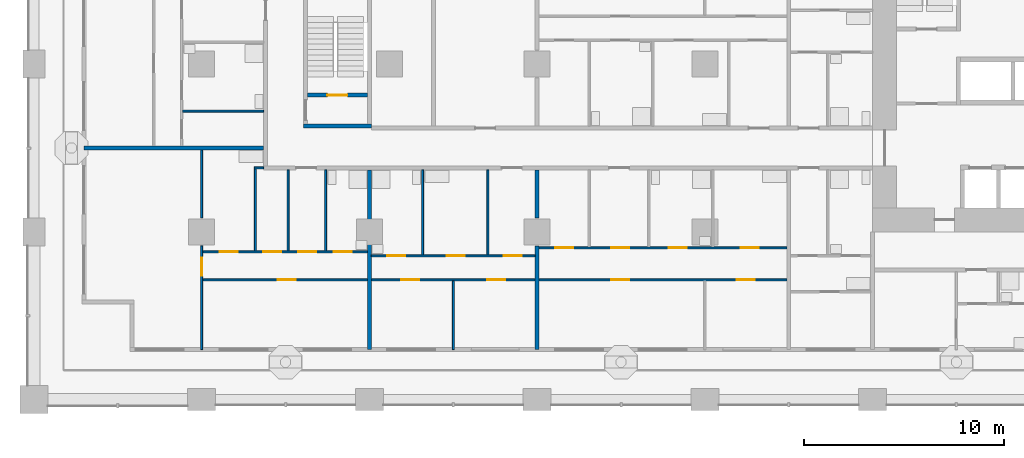
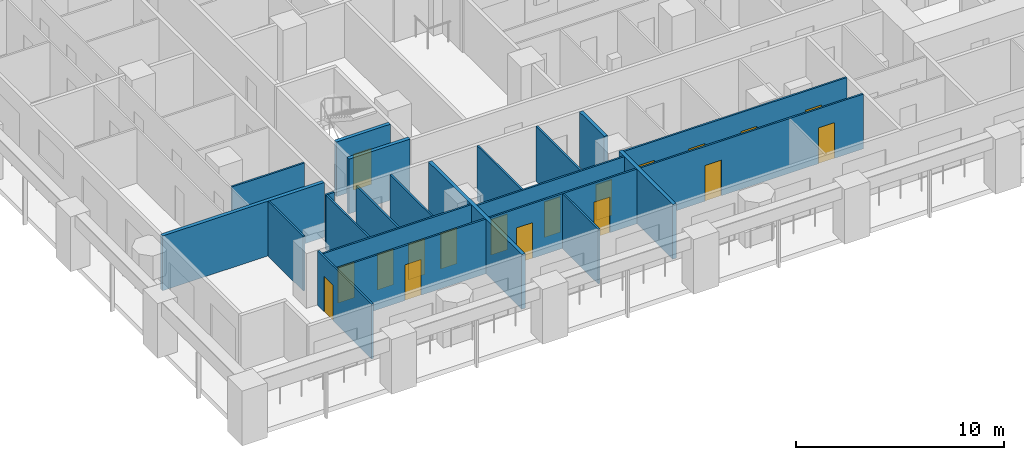
# One storey, part 2 of 22: 20 walls, 18 doors, 18 openings.
"""IFC4 building model written with IfcOpenShell, lengths in metres."""

from ifc_helpers import new_model, si_unit, direction, frame, frame_2d, origin, place, context, subcontext, project, spatial, rectangle, extrude, material, layer, layer_set, type_object, element, fill, save


model = new_model("IFC4")

# Units and contexts
model_context = context("Model", 3, precision=1e-05, world=origin(), true_north=direction((0.0, 1.0)))
body_context = subcontext(model_context, "Body", "Model", "MODEL_VIEW")
ifc_project = project(units=[si_unit("LENGTHUNIT", "METRE"), si_unit("AREAUNIT", "SQUARE_METRE"), si_unit("VOLUMEUNIT", "CUBIC_METRE"), si_unit("PLANEANGLEUNIT", "RADIAN"), si_unit("MASSUNIT", "GRAM", prefix="KILO")], contexts=[model_context])

# Site, building, storey
site_placement = place(None, origin())
site = spatial("IfcSite", under=ifc_project, at=site_placement, CompositionType="ELEMENT")
building_placement = place(site_placement, origin())
building = spatial("IfcBuilding", under=site, at=building_placement, Name="Vermilion Gate Residences", CompositionType="ELEMENT")
storey_placement = place(building_placement, frame((0.0, 0.0, 60.199951171875)))
storey = spatial("IfcBuildingStorey", under=building, at=storey_placement, Name="L14", CompositionType="ELEMENT", Elevation=60.199951171875)

# Wall, openings, doors
ifc_material_1 = material(Name="Plasterboard on steel studs", Category="steel")
ifc_layer_1 = layer(ifc_material_1, 0.10009765625)
ifc_layer_set_1 = layer_set([ifc_layer_1], Name="PARTITION 100")
wall_type_1 = type_object("IfcWallType", Name="PARTITION 100", PredefinedType="PARTITIONING", material=ifc_layer_set_1)
wall_1_placement = place(storey_placement, frame((8.449951171875, 6.0, 0.0), z_axis=(0.0, 0.0, 1.0), x_axis=(1.0, 0.0, 0.0)))
wall_1 = element("IfcWall", 1, at=wall_1_placement, inside=storey, type_object=wall_type_1, Name="Partition", PredefinedType="PARTITIONING", context=body_context, shape_type="SweptSolid", body=[
    extrude(rectangle(XDim=29.25, YDim=0.10009765625, at=frame_2d((14.625, 0.0))), origin(), (0.0, 0.0, 1.0), 3.219970703125),
])
opening_1_placement = place(wall_1_placement, frame((3.75, 0.0, 0.0)))
opening_1 = element("IfcOpeningElement", 2, at=opening_1_placement, cuts=wall_1, Name="Opening DA13006", PredefinedType="OPENING", context=body_context, shape_type="SweptSolid", body=[
    extrude(rectangle(XDim=0.89990234375, YDim=2.10009765625, at=frame_2d((0.449951171875, 1.050048828125))), frame((0.0, 0.06005859375, 0.0), z_axis=(0.0, -1.0, 0.0), x_axis=(1.0, 0.0, 0.0)), (0.0, 0.0, 1.0), 0.1201171875),
])
opening_2_placement = place(wall_1_placement, frame((9.949951171875, 0.0, 0.0)))
opening_2 = element("IfcOpeningElement", 3, at=opening_2_placement, cuts=wall_1, Name="Opening DA13007", PredefinedType="OPENING", context=body_context, shape_type="SweptSolid", body=[
    extrude(rectangle(XDim=0.89990234375, YDim=2.10009765625, at=frame_2d((0.449951171875, 1.050048828125))), frame((0.0, 0.06005859375, 0.0), z_axis=(0.0, -1.0, 0.0), x_axis=(1.0, 0.0, 0.0)), (0.0, 0.0, 1.0), 0.1201171875),
])
opening_3_placement = place(wall_1_placement, frame((14.25, 0.0, 0.0)))
opening_3 = element("IfcOpeningElement", 4, at=opening_3_placement, cuts=wall_1, Name="Opening DA13008", PredefinedType="OPENING", context=body_context, shape_type="SweptSolid", body=[
    extrude(rectangle(XDim=0.89990234375, YDim=2.10009765625, at=frame_2d((0.449951171875, 1.050048828125))), frame((0.0, 0.06005859375, 0.0), z_axis=(0.0, -1.0, 0.0), x_axis=(1.0, 0.0, 0.0)), (0.0, 0.0, 1.0), 0.1201171875),
])
opening_4_placement = place(wall_1_placement, frame((20.449951171875, 0.0, 0.0)))
opening_4 = element("IfcOpeningElement", 5, at=opening_4_placement, cuts=wall_1, Name="Opening DA13009", PredefinedType="OPENING", context=body_context, shape_type="SweptSolid", body=[
    extrude(rectangle(XDim=0.89990234375, YDim=2.10009765625, at=frame_2d((0.449951171875, 1.050048828125))), frame((0.0, 0.06005859375, 0.0), z_axis=(0.0, -1.0, 0.0), x_axis=(1.0, 0.0, 0.0)), (0.0, 0.0, 1.0), 0.1201171875),
])
opening_5_placement = place(wall_1_placement, frame((26.75, 0.0, 0.0)))
opening_5 = element("IfcOpeningElement", 6, at=opening_5_placement, cuts=wall_1, Name="Opening DA13010", PredefinedType="OPENING", context=body_context, shape_type="SweptSolid", body=[
    extrude(rectangle(XDim=0.89990234375, YDim=2.10009765625, at=frame_2d((0.449951171875, 1.050048828125))), frame((0.0, 0.06005859375, 0.0), z_axis=(0.0, -1.0, 0.0), x_axis=(1.0, 0.0, 0.0)), (0.0, 0.0, 1.0), 0.1201171875),
])
ifc_material_2 = material(Name="Timber", Category="wood")
door_type_1 = type_object("IfcDoorType", Name="INTERIOR DOOR 900 X 2100", OperationType="SINGLE_SWING_LEFT", PredefinedType="DOOR", material=ifc_material_2)
door_1_placement = place(opening_1_placement, frame((0.89990234375, 0.0, 0.0), z_axis=(0.0, 0.0, 1.0), x_axis=(-1.0, 0.0, 0.0)))
door_1 = element("IfcDoor", 7, at=door_1_placement, inside=storey, type_object=door_type_1, Name="Interior door", OperationType="SINGLE_SWING_RIGHT", OverallHeight=2.10009765625, OverallWidth=0.89990234375, PredefinedType="DOOR", context=body_context, shape_type="SweptSolid", body=[
    extrude(rectangle(XDim=0.89990234375, YDim=2.10009765625, at=frame_2d((0.449951171875, 1.050048828125))), frame((0.0, 0.02490234375, 0.0), z_axis=(0.0, -1.0, 0.0), x_axis=(1.0, 0.0, 0.0)), (0.0, 0.0, 1.0), 0.050048828125),
])
fill(opening_1, door_1)
door_2_placement = place(opening_2_placement, frame((0.89990234375, 0.0, 0.0), z_axis=(0.0, 0.0, 1.0), x_axis=(-1.0, 0.0, 0.0)))
door_2 = element("IfcDoor", 8, at=door_2_placement, inside=storey, type_object=door_type_1, Name="Interior door", OperationType="SINGLE_SWING_RIGHT", OverallHeight=2.10009765625, OverallWidth=0.89990234375, PredefinedType="DOOR", context=body_context, shape_type="SweptSolid", body=[
    extrude(rectangle(XDim=0.89990234375, YDim=2.10009765625, at=frame_2d((0.449951171875, 1.050048828125))), frame((0.0, 0.02490234375, 0.0), z_axis=(0.0, -1.0, 0.0), x_axis=(1.0, 0.0, 0.0)), (0.0, 0.0, 1.0), 0.050048828125),
])
fill(opening_2, door_2)
door_3_placement = place(opening_3_placement, frame((0.89990234375, 0.0, 0.0), z_axis=(0.0, 0.0, 1.0), x_axis=(-1.0, 0.0, 0.0)))
door_3 = element("IfcDoor", 9, at=door_3_placement, inside=storey, type_object=door_type_1, Name="Interior door", OperationType="SINGLE_SWING_LEFT", OverallHeight=2.10009765625, OverallWidth=0.89990234375, PredefinedType="DOOR", context=body_context, shape_type="SweptSolid", body=[
    extrude(rectangle(XDim=0.89990234375, YDim=2.10009765625, at=frame_2d((0.449951171875, 1.050048828125))), frame((0.0, 0.02490234375, 0.0), z_axis=(0.0, -1.0, 0.0), x_axis=(1.0, 0.0, 0.0)), (0.0, 0.0, 1.0), 0.050048828125),
])
fill(opening_3, door_3)
door_4_placement = place(opening_4_placement, frame((0.89990234375, 0.0, 0.0), z_axis=(0.0, 0.0, 1.0), x_axis=(-1.0, 0.0, 0.0)))
door_4 = element("IfcDoor", 10, at=door_4_placement, inside=storey, type_object=door_type_1, Name="Interior door", OperationType="SINGLE_SWING_RIGHT", OverallHeight=2.10009765625, OverallWidth=0.89990234375, PredefinedType="DOOR", context=body_context, shape_type="SweptSolid", body=[
    extrude(rectangle(XDim=0.89990234375, YDim=2.10009765625, at=frame_2d((0.449951171875, 1.050048828125))), frame((0.0, 0.02490234375, 0.0), z_axis=(0.0, -1.0, 0.0), x_axis=(1.0, 0.0, 0.0)), (0.0, 0.0, 1.0), 0.050048828125),
])
fill(opening_4, door_4)
door_5_placement = place(opening_5_placement, frame((0.89990234375, 0.0, 0.0), z_axis=(0.0, 0.0, 1.0), x_axis=(-1.0, 0.0, 0.0)))
door_5 = element("IfcDoor", 11, at=door_5_placement, inside=storey, type_object=door_type_1, Name="Interior door", OperationType="SINGLE_SWING_RIGHT", OverallHeight=2.10009765625, OverallWidth=0.89990234375, PredefinedType="DOOR", context=body_context, shape_type="SweptSolid", body=[
    extrude(rectangle(XDim=0.89990234375, YDim=2.10009765625, at=frame_2d((0.449951171875, 1.050048828125))), frame((0.0, 0.02490234375, 0.0), z_axis=(0.0, -1.0, 0.0), x_axis=(1.0, 0.0, 0.0)), (0.0, 0.0, 1.0), 0.050048828125),
])
fill(opening_5, door_5)

wall_2_placement = place(storey_placement, frame((16.89990234375, 7.199951171875, 0.0), z_axis=(0.0, 0.0, 1.0), x_axis=(1.0, 0.0, 0.0)))
wall_2 = element("IfcWall", 12, at=wall_2_placement, inside=storey, type_object=wall_type_1, Name="Partition", PredefinedType="PARTITIONING", context=body_context, shape_type="SweptSolid", body=[
    extrude(rectangle(XDim=8.2001953125, YDim=0.10009765625, at=frame_2d((4.10009765625, 0.0))), origin(), (0.0, 0.0, 1.0), 3.219970703125),
])
opening_6_placement = place(wall_2_placement, frame((6.633056640625, 0.0, 0.0)))
opening_6 = element("IfcOpeningElement", 13, at=opening_6_placement, cuts=wall_2, Name="Opening DA13014", PredefinedType="OPENING", context=body_context, shape_type="SweptSolid", body=[
    extrude(rectangle(XDim=0.89990234375, YDim=2.10009765625, at=frame_2d((0.449951171875, 1.050048828125))), frame((0.0, 0.06005859375, 0.0), z_axis=(0.0, -1.0, 0.0), x_axis=(1.0, 0.0, 0.0)), (0.0, 0.0, 1.0), 0.1201171875),
])
opening_7_placement = place(wall_2_placement, frame((0.800048828125, 0.0, 0.0)))
opening_7 = element("IfcOpeningElement", 14, at=opening_7_placement, cuts=wall_2, Name="Opening DA13015", PredefinedType="OPENING", context=body_context, shape_type="SweptSolid", body=[
    extrude(rectangle(XDim=0.89990234375, YDim=2.10009765625, at=frame_2d((0.449951171875, 1.050048828125))), frame((0.0, 0.06005859375, 0.0), z_axis=(0.0, -1.0, 0.0), x_axis=(1.0, 0.0, 0.0)), (0.0, 0.0, 1.0), 0.1201171875),
])
opening_8_placement = place(wall_2_placement, frame((3.76708984375, 0.0, 0.0)))
opening_8 = element("IfcOpeningElement", 15, at=opening_8_placement, cuts=wall_2, Name="Opening DA13016", PredefinedType="OPENING", context=body_context, shape_type="SweptSolid", body=[
    extrude(rectangle(XDim=0.89990234375, YDim=2.10009765625, at=frame_2d((0.449951171875, 1.050048828125))), frame((0.0, 0.06005859375, 0.0), z_axis=(0.0, -1.0, 0.0), x_axis=(1.0, 0.0, 0.0)), (0.0, 0.0, 1.0), 0.1201171875),
])
door_6_placement = place(opening_6_placement, frame((0.89990234375, 0.0, 0.0), z_axis=(0.0, 0.0, 1.0), x_axis=(-1.0, 0.0, 0.0)))
door_6 = element("IfcDoor", 16, at=door_6_placement, inside=storey, type_object=door_type_1, Name="Interior door", OperationType="SINGLE_SWING_LEFT", OverallHeight=2.10009765625, OverallWidth=0.89990234375, PredefinedType="DOOR", context=body_context, shape_type="SweptSolid", body=[
    extrude(rectangle(XDim=0.89990234375, YDim=2.10009765625, at=frame_2d((0.449951171875, 1.050048828125))), frame((0.0, 0.02490234375, 0.0), z_axis=(0.0, -1.0, 0.0), x_axis=(1.0, 0.0, 0.0)), (0.0, 0.0, 1.0), 0.050048828125),
])
fill(opening_6, door_6)
door_7_placement = place(opening_7_placement, origin())
door_7 = element("IfcDoor", 17, at=door_7_placement, inside=storey, type_object=door_type_1, Name="Interior door", OperationType="SINGLE_SWING_LEFT", OverallHeight=2.10009765625, OverallWidth=0.89990234375, PredefinedType="DOOR", context=body_context, shape_type="SweptSolid", body=[
    extrude(rectangle(XDim=0.89990234375, YDim=2.10009765625, at=frame_2d((0.449951171875, 1.050048828125))), frame((0.0, 0.02490234375, 0.0), z_axis=(0.0, -1.0, 0.0), x_axis=(1.0, 0.0, 0.0)), (0.0, 0.0, 1.0), 0.050048828125),
])
fill(opening_7, door_7)
door_8_placement = place(opening_8_placement, origin())
door_8 = element("IfcDoor", 18, at=door_8_placement, inside=storey, type_object=door_type_1, Name="Interior door", OperationType="SINGLE_SWING_RIGHT", OverallHeight=2.10009765625, OverallWidth=0.89990234375, PredefinedType="DOOR", context=body_context, shape_type="SweptSolid", body=[
    extrude(rectangle(XDim=0.89990234375, YDim=2.10009765625, at=frame_2d((0.449951171875, 1.050048828125))), frame((0.0, 0.02490234375, 0.0), z_axis=(0.0, -1.0, 0.0), x_axis=(1.0, 0.0, 0.0)), (0.0, 0.0, 1.0), 0.050048828125),
])
fill(opening_8, door_8)

wall_3_placement = place(storey_placement, frame((8.449951171875, 7.39990234375, 0.0), z_axis=(0.0, 0.0, 1.0), x_axis=(1.0, 0.0, 0.0)))
wall_3 = element("IfcWall", 19, at=wall_3_placement, inside=storey, type_object=wall_type_1, Name="Partition", PredefinedType="PARTITIONING", context=body_context, shape_type="SweptSolid", body=[
    extrude(rectangle(XDim=8.25, YDim=0.10009765625, at=frame_2d((4.125, 0.0))), origin(), (0.0, 0.0, 1.0), 3.219970703125),
])
opening_9_placement = place(wall_3_placement, frame((4.77587890625, 0.0, 0.0)))
opening_9 = element("IfcOpeningElement", 20, at=opening_9_placement, cuts=wall_3, Name="Opening DA13019", PredefinedType="OPENING", context=body_context, shape_type="SweptSolid", body=[
    extrude(rectangle(XDim=0.89990234375, YDim=2.10009765625, at=frame_2d((0.449951171875, 1.050048828125))), frame((0.0, 0.06005859375, 0.0), z_axis=(0.0, -1.0, 0.0), x_axis=(1.0, 0.0, 0.0)), (0.0, 0.0, 1.0), 0.1201171875),
])
opening_10_placement = place(wall_3_placement, frame((0.85009765625, 0.0, 0.0)))
opening_10 = element("IfcOpeningElement", 21, at=opening_10_placement, cuts=wall_3, Name="Opening DA13020", PredefinedType="OPENING", context=body_context, shape_type="SweptSolid", body=[
    extrude(rectangle(XDim=0.89990234375, YDim=2.10009765625, at=frame_2d((0.449951171875, 1.050048828125))), frame((0.0, 0.06005859375, 0.0), z_axis=(0.0, -1.0, 0.0), x_axis=(1.0, 0.0, 0.0)), (0.0, 0.0, 1.0), 0.1201171875),
])
opening_11_placement = place(wall_3_placement, frame((3.033935546875, 0.0, 0.0)))
opening_11 = element("IfcOpeningElement", 22, at=opening_11_placement, cuts=wall_3, Name="Opening DA13021", PredefinedType="OPENING", context=body_context, shape_type="SweptSolid", body=[
    extrude(rectangle(XDim=0.89990234375, YDim=2.10009765625, at=frame_2d((0.449951171875, 1.050048828125))), frame((0.0, 0.06005859375, 0.0), z_axis=(0.0, -1.0, 0.0), x_axis=(1.0, 0.0, 0.0)), (0.0, 0.0, 1.0), 0.1201171875),
])
opening_12_placement = place(wall_3_placement, frame((6.56103515625, 0.0, 0.0)))
opening_12 = element("IfcOpeningElement", 23, at=opening_12_placement, cuts=wall_3, Name="Opening DA13022", PredefinedType="OPENING", context=body_context, shape_type="SweptSolid", body=[
    extrude(rectangle(XDim=0.89990234375, YDim=2.10009765625, at=frame_2d((0.449951171875, 1.050048828125))), frame((0.0, 0.06005859375, 0.0), z_axis=(0.0, -1.0, 0.0), x_axis=(1.0, 0.0, 0.0)), (0.0, 0.0, 1.0), 0.1201171875),
])
door_9_placement = place(opening_9_placement, origin())
door_9 = element("IfcDoor", 24, at=door_9_placement, inside=storey, type_object=door_type_1, Name="Interior door", OperationType="SINGLE_SWING_RIGHT", OverallHeight=2.10009765625, OverallWidth=0.89990234375, PredefinedType="DOOR", context=body_context, shape_type="SweptSolid", body=[
    extrude(rectangle(XDim=0.89990234375, YDim=2.10009765625, at=frame_2d((0.449951171875, 1.050048828125))), frame((0.0, 0.02490234375, 0.0), z_axis=(0.0, -1.0, 0.0), x_axis=(1.0, 0.0, 0.0)), (0.0, 0.0, 1.0), 0.050048828125),
])
fill(opening_9, door_9)
door_10_placement = place(opening_10_placement, origin())
door_10 = element("IfcDoor", 25, at=door_10_placement, inside=storey, type_object=door_type_1, Name="Interior door", OperationType="SINGLE_SWING_RIGHT", OverallHeight=2.10009765625, OverallWidth=0.89990234375, PredefinedType="DOOR", context=body_context, shape_type="SweptSolid", body=[
    extrude(rectangle(XDim=0.89990234375, YDim=2.10009765625, at=frame_2d((0.449951171875, 1.050048828125))), frame((0.0, 0.02490234375, 0.0), z_axis=(0.0, -1.0, 0.0), x_axis=(1.0, 0.0, 0.0)), (0.0, 0.0, 1.0), 0.050048828125),
])
fill(opening_10, door_10)
door_11_placement = place(opening_11_placement, origin())
door_11 = element("IfcDoor", 26, at=door_11_placement, inside=storey, type_object=door_type_1, Name="Interior door", OperationType="SINGLE_SWING_RIGHT", OverallHeight=2.10009765625, OverallWidth=0.89990234375, PredefinedType="DOOR", context=body_context, shape_type="SweptSolid", body=[
    extrude(rectangle(XDim=0.89990234375, YDim=2.10009765625, at=frame_2d((0.449951171875, 1.050048828125))), frame((0.0, 0.02490234375, 0.0), z_axis=(0.0, -1.0, 0.0), x_axis=(1.0, 0.0, 0.0)), (0.0, 0.0, 1.0), 0.050048828125),
])
fill(opening_11, door_11)
door_12_placement = place(opening_12_placement, origin())
door_12 = element("IfcDoor", 27, at=door_12_placement, inside=storey, type_object=door_type_1, Name="Interior door", OperationType="SINGLE_SWING_RIGHT", OverallHeight=2.10009765625, OverallWidth=0.89990234375, PredefinedType="DOOR", context=body_context, shape_type="SweptSolid", body=[
    extrude(rectangle(XDim=0.89990234375, YDim=2.10009765625, at=frame_2d((0.449951171875, 1.050048828125))), frame((0.0, 0.02490234375, 0.0), z_axis=(0.0, -1.0, 0.0), x_axis=(1.0, 0.0, 0.0)), (0.0, 0.0, 1.0), 0.050048828125),
])
fill(opening_12, door_12)

wall_4_placement = place(storey_placement, frame((25.300048828125, 7.60009765625, 0.0), z_axis=(0.0, 0.0, 1.0), x_axis=(1.0, 0.0, 0.0)))
wall_4 = element("IfcWall", 28, at=wall_4_placement, inside=storey, type_object=wall_type_1, Name="Partition", PredefinedType="PARTITIONING", context=body_context, shape_type="SweptSolid", body=[
    extrude(rectangle(XDim=12.39990234375, YDim=0.10009765625, at=frame_2d((6.199951171875, 0.0))), origin(), (0.0, 0.0, 1.0), 3.219970703125),
])
opening_13_placement = place(wall_4_placement, frame((3.60009765625, 0.0, 0.0)))
opening_13 = element("IfcOpeningElement", 29, at=opening_13_placement, cuts=wall_4, Name="Opening DA13023", PredefinedType="OPENING", context=body_context, shape_type="SweptSolid", body=[
    extrude(rectangle(XDim=0.89990234375, YDim=2.10009765625, at=frame_2d((0.449951171875, 1.050048828125))), frame((0.0, 0.06005859375, 0.0), z_axis=(0.0, -1.0, 0.0), x_axis=(1.0, 0.0, 0.0)), (0.0, 0.0, 1.0), 0.1201171875),
])
opening_14_placement = place(wall_4_placement, frame((0.800048828125, 0.0, 0.0)))
opening_14 = element("IfcOpeningElement", 30, at=opening_14_placement, cuts=wall_4, Name="Opening DA13024", PredefinedType="OPENING", context=body_context, shape_type="SweptSolid", body=[
    extrude(rectangle(XDim=0.89990234375, YDim=2.10009765625, at=frame_2d((0.449951171875, 1.050048828125))), frame((0.0, 0.06005859375, 0.0), z_axis=(0.0, -1.0, 0.0), x_axis=(1.0, 0.0, 0.0)), (0.0, 0.0, 1.0), 0.1201171875),
])
opening_15_placement = place(wall_4_placement, frame((6.5, 0.0, 0.0)))
opening_15 = element("IfcOpeningElement", 31, at=opening_15_placement, cuts=wall_4, Name="Opening DA13025", PredefinedType="OPENING", context=body_context, shape_type="SweptSolid", body=[
    extrude(rectangle(XDim=0.89990234375, YDim=2.10009765625, at=frame_2d((0.449951171875, 1.050048828125))), frame((0.0, 0.06005859375, 0.0), z_axis=(0.0, -1.0, 0.0), x_axis=(1.0, 0.0, 0.0)), (0.0, 0.0, 1.0), 0.1201171875),
])
opening_16_placement = place(wall_4_placement, frame((10.10009765625, 0.0, 0.0)))
opening_16 = element("IfcOpeningElement", 32, at=opening_16_placement, cuts=wall_4, Name="Opening DA13026", PredefinedType="OPENING", context=body_context, shape_type="SweptSolid", body=[
    extrude(rectangle(XDim=0.89990234375, YDim=2.10009765625, at=frame_2d((0.449951171875, 1.050048828125))), frame((0.0, 0.06005859375, 0.0), z_axis=(0.0, -1.0, 0.0), x_axis=(1.0, 0.0, 0.0)), (0.0, 0.0, 1.0), 0.1201171875),
])
door_13_placement = place(opening_13_placement, origin())
door_13 = element("IfcDoor", 33, at=door_13_placement, inside=storey, type_object=door_type_1, Name="Interior door", OperationType="SINGLE_SWING_RIGHT", OverallHeight=2.10009765625, OverallWidth=0.89990234375, PredefinedType="DOOR", context=body_context, shape_type="SweptSolid", body=[
    extrude(rectangle(XDim=0.89990234375, YDim=2.10009765625, at=frame_2d((0.449951171875, 1.050048828125))), frame((0.0, 0.02490234375, 0.0), z_axis=(0.0, -1.0, 0.0), x_axis=(1.0, 0.0, 0.0)), (0.0, 0.0, 1.0), 0.050048828125),
])
fill(opening_13, door_13)
door_14_placement = place(opening_14_placement, origin())
door_14 = element("IfcDoor", 34, at=door_14_placement, inside=storey, type_object=door_type_1, Name="Interior door", OperationType="SINGLE_SWING_LEFT", OverallHeight=2.10009765625, OverallWidth=0.89990234375, PredefinedType="DOOR", context=body_context, shape_type="SweptSolid", body=[
    extrude(rectangle(XDim=0.89990234375, YDim=2.10009765625, at=frame_2d((0.449951171875, 1.050048828125))), frame((0.0, 0.02490234375, 0.0), z_axis=(0.0, -1.0, 0.0), x_axis=(1.0, 0.0, 0.0)), (0.0, 0.0, 1.0), 0.050048828125),
])
fill(opening_14, door_14)
door_15_placement = place(opening_15_placement, origin())
door_15 = element("IfcDoor", 35, at=door_15_placement, inside=storey, type_object=door_type_1, Name="Interior door", OperationType="SINGLE_SWING_RIGHT", OverallHeight=2.10009765625, OverallWidth=0.89990234375, PredefinedType="DOOR", context=body_context, shape_type="SweptSolid", body=[
    extrude(rectangle(XDim=0.89990234375, YDim=2.10009765625, at=frame_2d((0.449951171875, 1.050048828125))), frame((0.0, 0.02490234375, 0.0), z_axis=(0.0, -1.0, 0.0), x_axis=(1.0, 0.0, 0.0)), (0.0, 0.0, 1.0), 0.050048828125),
])
fill(opening_15, door_15)
door_16_placement = place(opening_16_placement, origin())
door_16 = element("IfcDoor", 36, at=door_16_placement, inside=storey, type_object=door_type_1, Name="Interior door", OperationType="SINGLE_SWING_LEFT", OverallHeight=2.10009765625, OverallWidth=0.89990234375, PredefinedType="DOOR", context=body_context, shape_type="SweptSolid", body=[
    extrude(rectangle(XDim=0.89990234375, YDim=2.10009765625, at=frame_2d((0.449951171875, 1.050048828125))), frame((0.0, 0.02490234375, 0.0), z_axis=(0.0, -1.0, 0.0), x_axis=(1.0, 0.0, 0.0)), (0.0, 0.0, 1.0), 0.050048828125),
])
fill(opening_16, door_16)

# Walls
wall_5_placement = place(storey_placement, frame((11.033935546875, 11.60009765625, 0.0), z_axis=(0.0, 0.0, 1.0), x_axis=(1.0, 0.0, 0.0)))
element("IfcWall", 37, at=wall_5_placement, inside=storey, type_object=wall_type_1, Name="Partition", PredefinedType="PARTITIONING", context=body_context, shape_type="SweptSolid", body=[
    extrude(rectangle(XDim=0.466064453125, YDim=0.10009765625, at=frame_2d((0.23291015625, 0.0))), origin(), (0.0, 0.0, 1.0), 3.219970703125),
])
wall_6_placement = place(storey_placement, frame((7.449951171875, 14.449951171875, 0.0), z_axis=(0.0, 0.0, 1.0), x_axis=(1.0, 0.0, 0.0)))
element("IfcWall", 38, at=wall_6_placement, inside=storey, type_object=wall_type_1, Name="Partition", PredefinedType="PARTITIONING", context=body_context, shape_type="SweptSolid", body=[
    extrude(rectangle(XDim=4.050048828125, YDim=0.10009765625, at=frame_2d((2.02490234375, 0.0))), origin(), (0.0, 0.0, 1.0), 3.219970703125),
])

# Wall, opening, door
wall_7_placement = place(storey_placement, frame((8.39990234375, 2.5, 0.0), z_axis=(0.0, 0.0, 1.0), x_axis=(0.0, 1.0, 0.0)))
wall_7 = element("IfcWall", 39, at=wall_7_placement, inside=storey, type_object=wall_type_1, Name="Partition", PredefinedType="PARTITIONING", context=body_context, shape_type="SweptSolid", body=[
    extrude(rectangle(XDim=5.199951171875, YDim=0.10009765625, at=frame_2d((2.60009765625, 0.0))), origin(), (0.0, 0.0, 1.0), 3.219970703125),
])
opening_17_placement = place(wall_7_placement, frame((3.699951171875, 0.0, 0.0)))
opening_17 = element("IfcOpeningElement", 40, at=opening_17_placement, cuts=wall_7, Name="Opening DA13065", PredefinedType="OPENING", context=body_context, shape_type="SweptSolid", body=[
    extrude(rectangle(XDim=0.89990234375, YDim=2.10009765625, at=frame_2d((0.449951171875, 1.050048828125))), frame((0.0, 0.06005859375, 0.0), z_axis=(0.0, -1.0, 0.0), x_axis=(1.0, 0.0, 0.0)), (0.0, 0.0, 1.0), 0.1201171875),
])
door_17_placement = place(opening_17_placement, origin())
door_17 = element("IfcDoor", 41, at=door_17_placement, inside=storey, type_object=door_type_1, Name="Interior door", OperationType="SINGLE_SWING_RIGHT", OverallHeight=2.10009765625, OverallWidth=0.89990234375, PredefinedType="DOOR", context=body_context, shape_type="SweptSolid", body=[
    extrude(rectangle(XDim=0.89990234375, YDim=2.10009765625, at=frame_2d((0.449951171875, 1.050048828125))), frame((0.0, 0.02490234375, 0.0), z_axis=(0.0, -1.0, 0.0), x_axis=(1.0, 0.0, 0.0)), (0.0, 0.0, 1.0), 0.050048828125),
])
fill(opening_17, door_17)

# Walls
wall_8_placement = place(storey_placement, frame((8.39990234375, 9.10009765625, 0.0), z_axis=(0.0, 0.0, 1.0), x_axis=(0.0, 1.0, 0.0)))
element("IfcWall", 42, at=wall_8_placement, inside=storey, type_object=wall_type_1, Name="Partition", PredefinedType="PARTITIONING", context=body_context, shape_type="SweptSolid", body=[
    extrude(rectangle(XDim=3.39990234375, YDim=0.10009765625, at=frame_2d((1.699951171875, 0.0))), origin(), (0.0, 0.0, 1.0), 3.219970703125),
])
wall_9_placement = place(storey_placement, frame((11.083984375, 7.449951171875, 0.0), z_axis=(0.0, 0.0, 1.0), x_axis=(0.0, 1.0, 0.0)))
element("IfcWall", 43, at=wall_9_placement, inside=storey, type_object=wall_type_1, Name="Partition", PredefinedType="PARTITIONING", context=body_context, shape_type="SweptSolid", body=[
    extrude(rectangle(XDim=4.10009765625, YDim=0.10009765625, at=frame_2d((2.050048828125, 0.0))), origin(), (0.0, 0.0, 1.0), 3.219970703125),
])
for number, where, z_axis, x_axis, name in (
    (44, (12.72607421875, 7.449951171875, 0.0), (0.0, 0.0, 1.0), (0.0, 1.0, 0.0), "Partition"),
    (45, (14.611083984375, 7.449951171875, 0.0), (0.0, 0.0, 1.0), (0.0, 1.0, 0.0), "Partition"),
):
    element("IfcWall", number, at=place(storey_placement, frame(where, z_axis=z_axis, x_axis=x_axis)), inside=storey, type_object=wall_type_1, Name=name, PredefinedType="PARTITIONING", context=body_context, shape_type="SweptSolid", body=[
        extrude(rectangle(XDim=4.050048828125, YDim=0.10009765625, at=frame_2d((2.02490234375, 0.0))), origin(), (0.0, 0.0, 1.0), 3.219970703125),
    ])
wall_10_placement = place(storey_placement, frame((19.467041015625, 7.25, 0.0), z_axis=(0.0, 0.0, 1.0), x_axis=(0.0, 1.0, 0.0)))
element("IfcWall", 46, at=wall_10_placement, inside=storey, type_object=wall_type_1, Name="Partition", PredefinedType="PARTITIONING", context=body_context, shape_type="SweptSolid", body=[
    extrude(rectangle(XDim=4.25, YDim=0.10009765625, at=frame_2d((2.125, 0.0))), origin(), (0.0, 0.0, 1.0), 3.219970703125),
])
wall_11_placement = place(storey_placement, frame((21.0, 2.5, 0.0), z_axis=(0.0, 0.0, 1.0), x_axis=(0.0, 1.0, 0.0)))
element("IfcWall", 47, at=wall_11_placement, inside=storey, type_object=wall_type_1, Name="Partition", PredefinedType="PARTITIONING", context=body_context, shape_type="SweptSolid", body=[
    extrude(rectangle(XDim=3.449951171875, YDim=0.10009765625, at=frame_2d((1.72509765625, 0.0))), origin(), (0.0, 0.0, 1.0), 3.219970703125),
])
wall_12_placement = place(storey_placement, frame((22.73291015625, 7.25, 0.0), z_axis=(0.0, 0.0, 1.0), x_axis=(0.0, 1.0, 0.0)))
element("IfcWall", 48, at=wall_12_placement, inside=storey, type_object=wall_type_1, Name="Partition", PredefinedType="PARTITIONING", context=body_context, shape_type="SweptSolid", body=[
    extrude(rectangle(XDim=4.25, YDim=0.10009765625, at=frame_2d((2.125, 0.0))), origin(), (0.0, 0.0, 1.0), 3.219970703125),
])
ifc_material_3 = material(Name="Fire-rated plasterboard on steel studs", Category="steel")
ifc_layer_2 = layer(ifc_material_3, 0.199951171875)
ifc_layer_set_2 = layer_set([ifc_layer_2], Name="PARTY WALL 200 EI 120")
wall_type_2 = type_object("IfcWallType", Name="PARTY WALL 200 EI 120", PredefinedType="PARTITIONING", material=ifc_layer_set_2)
for number, where, z_axis, x_axis, name in (
    (49, (2.5, 12.60009765625, 0.0), (0.0, 0.0, 1.0), (1.0, 0.0, 0.0), "Party and corridor wall"),
    (50, (16.800048828125, 2.5, 0.0), (0.0, 0.0, 1.0), (0.0, 1.0, 0.0), "Party and corridor wall"),
):
    element("IfcWall", number, at=place(storey_placement, frame(where, z_axis=z_axis, x_axis=x_axis)), inside=storey, type_object=wall_type_2, Name=name, PredefinedType="PARTITIONING", context=body_context, shape_type="SweptSolid", body=[
        extrude(rectangle(XDim=9.0, YDim=0.199951171875, at=frame_2d((4.5, 0.0))), origin(), (0.0, 0.0, 1.0), 3.219970703125),
    ])
wall_13_placement = place(storey_placement, frame((25.199951171875, 2.5, 0.0), z_axis=(0.0, 0.0, 1.0), x_axis=(0.0, 1.0, 0.0)))
element("IfcWall", 51, at=wall_13_placement, inside=storey, type_object=wall_type_2, Name="Party and corridor wall", PredefinedType="PARTITIONING", context=body_context, shape_type="SweptSolid", body=[
    extrude(rectangle(XDim=5.199951171875, YDim=0.199951171875, at=frame_2d((2.60009765625, 0.0))), origin(), (0.0, 0.0, 1.0), 3.219970703125),
])
wall_14_placement = place(storey_placement, frame((25.199951171875, 9.10009765625, 0.0), z_axis=(0.0, 0.0, 1.0), x_axis=(0.0, 1.0, 0.0)))
element("IfcWall", 52, at=wall_14_placement, inside=storey, type_object=wall_type_2, Name="Party and corridor wall", PredefinedType="PARTITIONING", context=body_context, shape_type="SweptSolid", body=[
    extrude(rectangle(XDim=2.39990234375, YDim=0.199951171875, at=frame_2d((1.199951171875, 0.0))), origin(), (0.0, 0.0, 1.0), 3.219970703125),
])
ifc_material_4 = material(Name="Concrete C60", Category="concrete")
ifc_layer_3 = layer(ifc_material_4, 0.199951171875)
ifc_layer_set_3 = layer_set([ifc_layer_3], Name="RC CORE INTERNAL WALL 200 C60")
wall_type_3 = type_object("IfcWallType", Name="RC CORE INTERNAL WALL 200 C60", PredefinedType="SHEAR", material=ifc_layer_set_3)
wall_15_placement = place(storey_placement, frame((13.5, 13.699951171875, 0.0), z_axis=(0.0, 0.0, 1.0), x_axis=(1.0, 0.0, 0.0)))
element("IfcWall", 53, at=wall_15_placement, inside=storey, type_object=wall_type_3, Name="Core internal wall C14-S", PredefinedType="SHEAR", context=body_context, shape_type="SweptSolid", body=[
    extrude(rectangle(XDim=3.39990234375, YDim=0.199951171875, at=frame_2d((1.699951171875, 0.0))), origin(), (0.0, 0.0, 1.0), 3.219970703125),
])

# Wall, opening, door
wall_16_placement = place(storey_placement, frame((13.699951171875, 15.25, 0.0), z_axis=(0.0, 0.0, 1.0), x_axis=(1.0, 0.0, 0.0)))
wall_16 = element("IfcWall", 54, at=wall_16_placement, inside=storey, type_object=wall_type_3, Name="Core internal wall C14-P", PredefinedType="SHEAR", context=body_context, shape_type="SweptSolid", body=[
    extrude(rectangle(XDim=3.0, YDim=0.199951171875, at=frame_2d((1.5, 0.0))), origin(), (0.0, 0.0, 1.0), 3.219970703125),
])
opening_18_placement = place(wall_16_placement, frame((1.0, 0.0, 0.0)))
opening_18 = element("IfcOpeningElement", 55, at=opening_18_placement, cuts=wall_16, Name="Opening DK14202", PredefinedType="OPENING", context=body_context, shape_type="SweptSolid", body=[
    extrude(rectangle(XDim=1.0, YDim=2.10009765625, at=frame_2d((0.5, 1.050048828125))), frame((0.0, 0.10986328125, 0.0), z_axis=(0.0, -1.0, 0.0), x_axis=(1.0, 0.0, 0.0)), (0.0, 0.0, 1.0), 0.219970703125),
])
ifc_material_5 = material(Name="Steel", Category="steel")
door_type_2 = type_object("IfcDoorType", Name="FIRE DOOR FD60 1000 X 2100", OperationType="SINGLE_SWING_LEFT", PredefinedType="DOOR", material=ifc_material_5)
door_18_placement = place(opening_18_placement, origin())
door_18 = element("IfcDoor", 56, at=door_18_placement, inside=storey, type_object=door_type_2, Name="Stair door C14", OperationType="SINGLE_SWING_LEFT", OverallHeight=2.10009765625, OverallWidth=1.0, PredefinedType="DOOR", context=body_context, shape_type="SweptSolid", body=[
    extrude(rectangle(XDim=1.0, YDim=2.10009765625, at=frame_2d((0.5, 1.050048828125))), frame((0.0, 0.02490234375, 0.0), z_axis=(0.0, -1.0, 0.0), x_axis=(1.0, 0.0, 0.0)), (0.0, 0.0, 1.0), 0.050048828125),
])
fill(opening_18, door_18)

save(model, "model.ifc")
